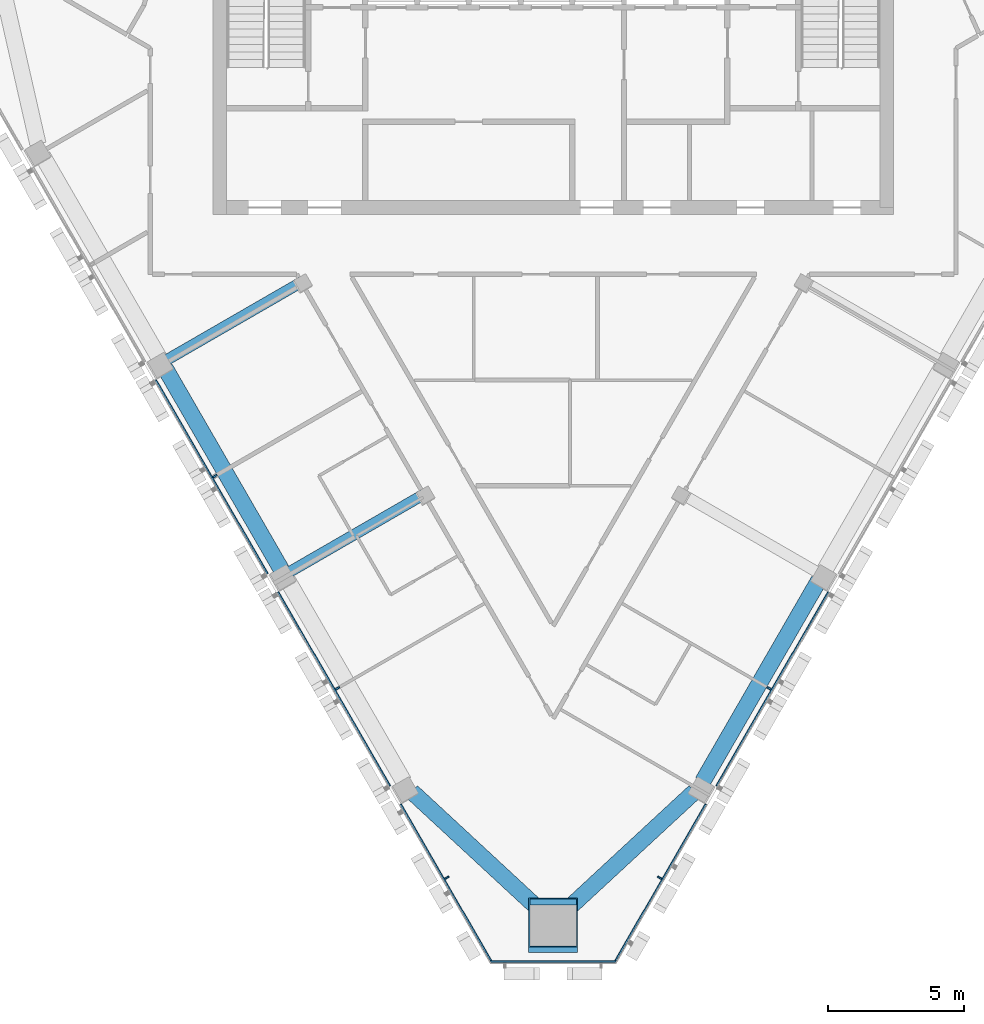
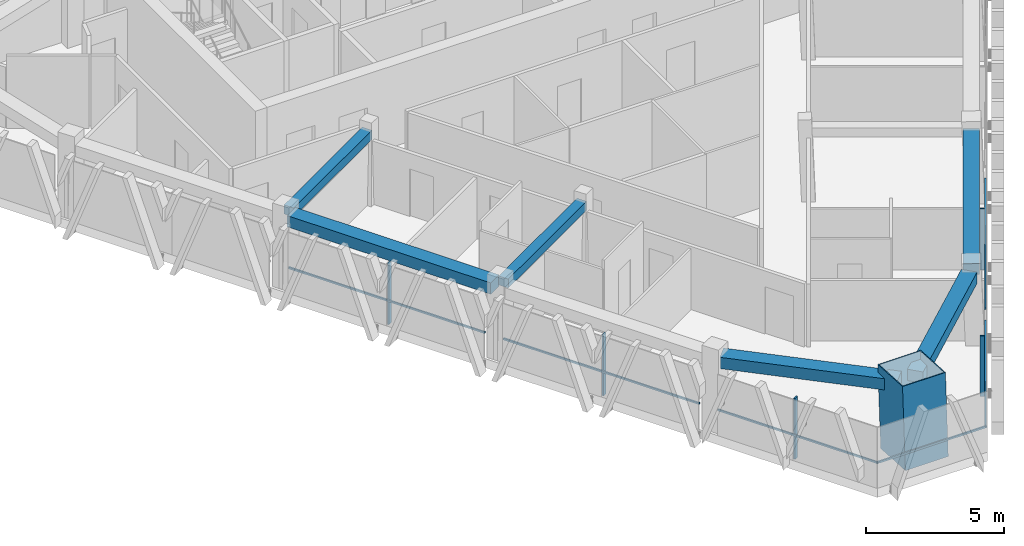
# One storey, part 2 of 12: 12 members, 6 beams, 3 elements without a shape of their own.
"""IFC4 building model written with IfcOpenShell, lengths in metres."""

import ifcopenshell
import ifcopenshell.guid

model = None  # the IFC model being written
_history = None  # IfcOwnerHistory: only IFC2X3 demands one
_inside = {}  # id of a spatial element -> (the spatial element, [elements in it])
_under = {}  # id of a project, library or spatial element -> (it, [spatial elements below it])
_declared = {}  # id of a project -> (the project, [libraries it declares])
_typed = {}  # id of a type object -> (the type object, [elements of that type])
_made_of = {}  # id of a material, layer set ... -> (it, [elements and type objects made of it])


def new_model(schema):
    """Start an empty IFC model of exactly this schema.

    Asked for "IFC4X3", IfcOpenShell would pick the latest addendum, in which some entities
    have other attributes; the version numbers below select the first issue.
    IFC2X3 requires an IfcOwnerHistory on every rooted entity: one is made here for all.
    """
    global model, _history
    if schema == "IFC4X3":
        model = ifcopenshell.file(schema_version=(4, 3, 0, 0))
    else:
        model = ifcopenshell.file(schema=schema)
    _inside.clear()
    _under.clear()
    _declared.clear()
    _typed.clear()
    _made_of.clear()
    _history = None
    if model.schema == "IFC2X3":
        org = make("IfcOrganization", Name="unknown")
        user = make(
            "IfcPersonAndOrganization",
            ThePerson=make("IfcPerson", FamilyName="unknown"),
            TheOrganization=org,
        )
        app = make(
            "IfcApplication",
            ApplicationDeveloper=org,
            Version="unknown",
            ApplicationFullName="unknown",
            ApplicationIdentifier="unknown",
        )
        _history = make(
            "IfcOwnerHistory",
            OwningUser=user,
            OwningApplication=app,
            ChangeAction="ADDED",
            CreationDate=0,
        )
    return model


def make(cls, **values):
    """One entity of the class cls with the attributes given. An attribute that is None is left unset."""
    return model.create_entity(
        cls, **{name: value for name, value in values.items() if value is not None}
    )


def rooted(cls, **values):
    """An entity with a GlobalId (a new one), such as an element, a storey or a relation."""
    return make(cls, GlobalId=ifcopenshell.guid.new(), OwnerHistory=_history, **values)


def si_unit(unit_type, name, prefix=None):
    """IfcSIUnit, for example si_unit("LENGTHUNIT", "METRE", prefix="MILLI")."""
    return make("IfcSIUnit", UnitType=unit_type, Prefix=prefix, Name=name)


def assignment(units):
    """IfcUnitAssignment: the units of a project."""
    return None if units is None else make("IfcUnitAssignment", Units=units)


def point(xyz):
    """IfcCartesianPoint."""
    return None if xyz is None else make("IfcCartesianPoint", Coordinates=xyz)


def direction(xyz):
    """IfcDirection."""
    return None if xyz is None else make("IfcDirection", DirectionRatios=xyz)


def frame(location, z_axis=None, x_axis=None):
    """IfcAxis2Placement3D, a coordinate frame: its origin and axes. An axis left out is left unset."""
    return make(
        "IfcAxis2Placement3D",
        Location=point(location),
        Axis=direction(z_axis),
        RefDirection=direction(x_axis),
    )


def frame_2d(location, x_axis=None):
    """IfcAxis2Placement2D, a coordinate frame in the plane: its origin and x axis."""
    return make(
        "IfcAxis2Placement2D", Location=point(location), RefDirection=direction(x_axis)
    )


def origin():
    """The frame at (0, 0, 0) with its axes left unset."""
    return frame((0.0, 0.0, 0.0))


def origin_2d():
    """The frame at (0, 0) in the plane with its x axis left unset."""
    return frame_2d((0.0, 0.0))


def place(relative_to, where):
    """IfcLocalPlacement: puts the frame where relative to a parent placement (None: the world)."""
    return make(
        "IfcLocalPlacement", PlacementRelTo=relative_to, RelativePlacement=where
    )


def context(
    kind, dimensions, precision=None, world=None, true_north=None, identifier=None
):
    """IfcGeometricRepresentationContext, for example the 3D "Model" context."""
    return make(
        "IfcGeometricRepresentationContext",
        ContextIdentifier=identifier,
        ContextType=kind,
        CoordinateSpaceDimension=dimensions,
        Precision=precision,
        WorldCoordinateSystem=world,
        TrueNorth=true_north,
    )


def subcontext(parent, identifier, kind, view, scale=None):
    """IfcGeometricRepresentationSubContext, for example "Body" below "Model"."""
    return make(
        "IfcGeometricRepresentationSubContext",
        ContextIdentifier=identifier,
        ContextType=kind,
        ParentContext=parent,
        TargetScale=scale,
        TargetView=view,
    )


def project(units=None, contexts=None):
    """IfcProject with its units and contexts."""
    return rooted(
        "IfcProject",
        Name="project",
        RepresentationContexts=contexts,
        UnitsInContext=assignment(units),
    )


def spatial(cls, under=None, at=None, **own):
    """A site, building, storey or space (cls), placed at a placement, below another one or the project."""
    s = rooted(cls, ObjectPlacement=at, **own)
    if under is not None:
        _under.setdefault(under.id(), (under, []))[1].append(s)
    return s


def profile(cls, at=None, kind="AREA", **sizes):
    """A parametric profile (cls). Its sizes go by their IFC names, for example OverallWidth=200.0."""
    return make(cls, ProfileType=kind, Position=at, **sizes)


def rectangle(**sizes):
    """IfcRectangleProfileDef."""
    return profile("IfcRectangleProfileDef", **sizes)


def hollow_rectangle(**sizes):
    """IfcRectangleHollowProfileDef."""
    return profile("IfcRectangleHollowProfileDef", **sizes)


def extrude(swept, where, along, depth):
    """IfcExtrudedAreaSolid: the profile swept, set in the frame where, extruded along a direction by depth."""
    return make(
        "IfcExtrudedAreaSolid",
        SweptArea=swept,
        Position=where,
        ExtrudedDirection=direction(along),
        Depth=depth,
    )


def shape(context_of_items, identifier, shape_type, items):
    """IfcShapeRepresentation: the items that make up one representation, for example the "Body"."""
    return make(
        "IfcShapeRepresentation",
        ContextOfItems=context_of_items,
        RepresentationIdentifier=identifier,
        RepresentationType=shape_type,
        Items=items,
    )


def material(Name=None, Category=None):
    """IfcMaterial."""
    return make("IfcMaterial", Name=Name, Category=Category)


def layer(
    of_material, thickness, ventilated=None, Name=None, Category=None, Priority=None
):
    """IfcMaterialLayer: one layer of a wall or slab, of a material (None: an air gap)."""
    return make(
        "IfcMaterialLayer",
        Material=of_material,
        LayerThickness=thickness,
        IsVentilated=ventilated,
        Name=Name,
        Category=Category,
        Priority=Priority,
    )


def layer_set(layers, Name=None):
    """IfcMaterialLayerSet."""
    return make("IfcMaterialLayerSet", MaterialLayers=layers, LayerSetName=Name)


def material_profile(
    of_material, cross_section, Name=None, Category=None, Priority=None
):
    """IfcMaterialProfile: a cross section and its material."""
    return make(
        "IfcMaterialProfile",
        Name=Name,
        Material=of_material,
        Profile=cross_section,
        Priority=Priority,
        Category=Category,
    )


def profile_set(profiles, Name=None, composite=None):
    """IfcMaterialProfileSet."""
    return make(
        "IfcMaterialProfileSet",
        Name=Name,
        MaterialProfiles=profiles,
        CompositeProfile=composite,
    )


def made_of(thing, what):
    """Note that an element or type object is made of a material, layer set ...; save() writes the relation."""
    if what is not None:
        _made_of.setdefault(what.id(), (what, []))[1].append(thing)
    return thing


def type_object(cls, material=None, **own):
    """A type object (cls), such as IfcWallType, which elements share."""
    return made_of(rooted(cls, **own), material)


def element(
    cls,
    number,
    at=None,
    inside=None,
    cuts=None,
    type_object=None,
    material=None,
    context=None,
    identifier="Body",
    shape_type=None,
    held_by="IfcProductDefinitionShape",
    body=None,
    shapes=None,
    **own,
):
    """One element of the class cls, such as IfcWall. Its Tag is "e" and its number.

    at: its placement. inside: the storey or other place that contains it. cuts: it is an
    opening in that element (IfcRelVoidsElement). A single representation is given by context,
    identifier, shape_type and body (its items); several are given by shapes. held_by: the class
    of the entity that holds the representations. save() writes the other relations.
    """
    e = rooted(cls, Tag="e%d" % number, ObjectPlacement=at, **own)
    if body is not None:
        shapes = [shape(context, identifier, shape_type, body)]
    if shapes is not None:
        e.Representation = make(held_by, Representations=shapes)
    if inside is not None:
        _inside.setdefault(inside.id(), (inside, []))[1].append(e)
    if cuts is not None:
        rooted(
            "IfcRelVoidsElement", RelatingBuildingElement=cuts, RelatedOpeningElement=e
        )
    if type_object is not None:
        _typed.setdefault(type_object.id(), (type_object, []))[1].append(e)
    return made_of(e, material)


def aggregate(whole, parts):
    """IfcRelAggregates: a whole, such as a stair, and the parts it consists of."""
    return rooted("IfcRelAggregates", RelatingObject=whole, RelatedObjects=parts)


def save(model, path):
    """Write the relations noted so far, then the file.

    IfcRelAggregates (storeys below a building ...), IfcRelContainedInSpatialStructure (elements
    in a storey), IfcRelDefinesByType, IfcRelAssociatesMaterial and IfcRelDeclares: one each for
    every whole, place, type object, material and project.
    """
    for whole, parts in _under.values():
        aggregate(whole, parts)
    for where, things in _inside.values():
        rooted(
            "IfcRelContainedInSpatialStructure",
            RelatedElements=things,
            RelatingStructure=where,
        )
    for kind, things in _typed.values():
        rooted("IfcRelDefinesByType", RelatedObjects=things, RelatingType=kind)
    for what, things in _made_of.values():
        rooted("IfcRelAssociatesMaterial", RelatedObjects=things, RelatingMaterial=what)
    for by, libraries in _declared.values():
        rooted("IfcRelDeclares", RelatingContext=by, RelatedDefinitions=libraries)
    model.write(path)


model = new_model("IFC4")

# Units and contexts
model_context = context("Model", 3, precision=1e-05, world=origin(), true_north=direction((0.0, 1.0)))
body_context = subcontext(model_context, "Body", "Model", "MODEL_VIEW")
ifc_project = project(units=[si_unit("LENGTHUNIT", "METRE"), si_unit("AREAUNIT", "SQUARE_METRE"), si_unit("VOLUMEUNIT", "CUBIC_METRE"), si_unit("PLANEANGLEUNIT", "RADIAN"), si_unit("MASSUNIT", "GRAM", prefix="KILO")], contexts=[model_context])

# Site, building, storey
site_placement = place(None, origin())
site = spatial("IfcSite", under=ifc_project, at=site_placement, CompositionType="ELEMENT")
building_placement = place(site_placement, origin())
building = spatial("IfcBuilding", under=site, at=building_placement, Name="Altiplano Prism Tower", CompositionType="ELEMENT")
storey_placement = place(building_placement, frame((0.0, 0.0, 278.800048828125)))
storey = spatial("IfcBuildingStorey", under=building, at=storey_placement, Name="L72", CompositionType="ELEMENT", Elevation=278.800048828125)

# Curtain wall, members
ifc_material_1 = material(Name="Aluminium and glass", Category="aluminium")
ifc_layer = layer(ifc_material_1, 0.280029296875)
ifc_layer_set = layer_set([ifc_layer], Name="Aluminium and glass")
curtain_wall_type = type_object("IfcCurtainWallType", Name="CW1 typical co-living unitised curtain wall", PredefinedType="NOTDEFINED", material=ifc_layer_set)
curtain_wall_1_placement = place(storey_placement, origin())
curtain_wall_1 = element("IfcCurtainWall", 1, at=curtain_wall_1_placement, inside=storey, type_object=curtain_wall_type, Name="CW1 curtain wall south-west face L72", PredefinedType="NOTDEFINED")
ifc_material_2 = material(Name="Aluminium", Category="aluminium")
ifc_material_profile_1 = material_profile(ifc_material_2, rectangle(XDim=0.179931640625, YDim=0.06494140625, at=origin_2d()), Name="CW1 mullion 65 x 180")
ifc_profile_set_1 = profile_set([ifc_material_profile_1], Name="Aluminium")
member_type_1 = type_object("IfcMemberType", Name="CW1 mullion 65 x 180", PredefinedType="MULLION", material=ifc_profile_set_1)
member_1_placement = place(storey_placement, frame((72.57275390625, 83.28564453125, 0.0), z_axis=(0.0, 0.0, 1.0), x_axis=(0.866025409151, 0.499999990704, 0.0)))
member_1 = element("IfcMember", 2, at=member_1_placement, type_object=member_type_1, Name="CW1 mullion", PredefinedType="MULLION", context=body_context, shape_type="SweptSolid", body=[
    extrude(rectangle(XDim=0.179931640625, YDim=0.06494140625, at=origin_2d()), origin(), (0.0, 0.0, 1.0), 2.699951171875),
])
member_2_placement = place(storey_placement, frame((77.07275390625, 75.4912109375, 0.0), z_axis=(0.0, 0.0, 1.0), x_axis=(0.866025409151, 0.499999990704, 0.0)))
member_2 = element("IfcMember", 3, at=member_2_placement, type_object=member_type_1, Name="CW1 mullion", PredefinedType="MULLION", context=body_context, shape_type="SweptSolid", body=[
    extrude(rectangle(XDim=0.179931640625, YDim=0.06494140625, at=origin_2d()), origin(), (0.0, 0.0, 1.0), 2.699951171875),
])
member_3_placement = place(storey_placement, frame((81.089599609375, 68.5341796875, 0.0), z_axis=(0.0, 0.0, 1.0), x_axis=(0.866025409151, 0.499999990704, 0.0)))
member_3 = element("IfcMember", 4, at=member_3_placement, type_object=member_type_1, Name="CW1 mullion", PredefinedType="MULLION", context=body_context, shape_type="SweptSolid", body=[
    extrude(rectangle(XDim=0.179931640625, YDim=0.06494140625, at=origin_2d()), origin(), (0.0, 0.0, 1.0), 2.699951171875),
])

curtain_wall_2_placement = place(storey_placement, origin())
curtain_wall_2 = element("IfcCurtainWall", 5, at=curtain_wall_2_placement, inside=storey, type_object=curtain_wall_type, Name="CW1 curtain wall south-east face L72", PredefinedType="NOTDEFINED")
member_4_placement = place(storey_placement, frame((88.910400390625, 68.5341796875, 0.0), z_axis=(0.0, 0.0, 1.0), x_axis=(-0.866025409151, 0.499999990704, 0.0)))
member_4 = element("IfcMember", 6, at=member_4_placement, type_object=member_type_1, Name="CW1 mullion", PredefinedType="MULLION", context=body_context, shape_type="SweptSolid", body=[
    extrude(rectangle(XDim=0.179931640625, YDim=0.06494140625, at=origin_2d()), origin(), (0.0, 0.0, 1.0), 2.699951171875),
])
member_5_placement = place(storey_placement, frame((92.92724609375, 75.4912109375, 0.0), z_axis=(0.0, 0.0, 1.0), x_axis=(-0.866025409151, 0.499999990704, 0.0)))
member_5 = element("IfcMember", 7, at=member_5_placement, type_object=member_type_1, Name="CW1 mullion", PredefinedType="MULLION", context=body_context, shape_type="SweptSolid", body=[
    extrude(rectangle(XDim=0.179931640625, YDim=0.06494140625, at=origin_2d()), origin(), (0.0, 0.0, 1.0), 2.699951171875),
])

# Member
ifc_material_profile_2 = material_profile(ifc_material_2, rectangle(XDim=0.06005859375, YDim=0.080078125, at=origin_2d()), Name="CW1 transom 80 x 60")
ifc_profile_set_2 = profile_set([ifc_material_profile_2], Name="Aluminium")
member_type_2 = type_object("IfcMemberType", Name="CW1 transom 80 x 60", PredefinedType="USERDEFINED", material=ifc_profile_set_2)
member_6_placement = place(storey_placement, frame((70.394287109375, 86.819091796875, 1.099853515625), z_axis=(0.499991554064, -0.866030279993, 0.0), x_axis=(0.866030279993, 0.499991554064, 0.0)))
member_6 = element("IfcMember", 8, at=member_6_placement, type_object=member_type_2, Name="CW1 transom", ObjectType="TRANSOM", PredefinedType="USERDEFINED", context=body_context, shape_type="SweptSolid", body=[
    extrude(rectangle(XDim=0.06005859375, YDim=0.080078125, at=origin_2d()), origin(), (0.0, 0.0, 1.0), 8.219970703125),
])

member_7_placement = place(storey_placement, frame((74.894287109375, 79.02490234375, 1.099853515625), z_axis=(0.499991554064, -0.866030279993, 0.0), x_axis=(0.866030279993, 0.499991554064, 0.0)))
member_7 = element("IfcMember", 9, at=member_7_placement, type_object=member_type_2, Name="CW1 transom", ObjectType="TRANSOM", PredefinedType="USERDEFINED", context=body_context, shape_type="SweptSolid", body=[
    extrude(rectangle(XDim=0.06005859375, YDim=0.080078125, at=origin_2d()), origin(), (0.0, 0.0, 1.0), 8.219970703125),
])

member_8_placement = place(storey_placement, frame((79.394287109375, 71.230712890625, 1.099853515625), z_axis=(0.499989908473, -0.866031230052, 0.0), x_axis=(0.866031230052, 0.499989908473, 0.0)))
member_8 = element("IfcMember", 10, at=member_8_placement, type_object=member_type_2, Name="CW1 transom", ObjectType="TRANSOM", PredefinedType="USERDEFINED", context=body_context, shape_type="SweptSolid", body=[
    extrude(rectangle(XDim=0.06005859375, YDim=0.080078125, at=origin_2d()), origin(), (0.0, 0.0, 1.0), 6.716552734375),
])

aggregate(curtain_wall_1, [member_1, member_6, member_2, member_7, member_3, member_8])

# Curtain wall, member
curtain_wall_3_placement = place(storey_placement, origin())
curtain_wall_3 = element("IfcCurtainWall", 11, at=curtain_wall_3_placement, inside=storey, type_object=curtain_wall_type, Name="CW1 curtain wall south chamfer L72", PredefinedType="NOTDEFINED")
member_9_placement = place(storey_placement, frame((82.69189453125, 65.448974609375, 1.099853515625), z_axis=(1.0, 0.0, 0.0), x_axis=(0.0, 1.0, 0.0)))
member_9 = element("IfcMember", 12, at=member_9_placement, type_object=member_type_2, Name="CW1 transom", ObjectType="TRANSOM", PredefinedType="USERDEFINED", context=body_context, shape_type="SweptSolid", body=[
    extrude(rectangle(XDim=0.06005859375, YDim=0.080078125, at=origin_2d()), origin(), (0.0, 0.0, 1.0), 4.6162109375),
])
aggregate(curtain_wall_3, [member_9])

# Member
member_10_placement = place(storey_placement, frame((87.24755859375, 65.4140625, 1.099853515625), z_axis=(0.499989908473, 0.866031230052, 0.0), x_axis=(-0.866031230052, 0.499989908473, 0.0)))
member_10 = element("IfcMember", 13, at=member_10_placement, type_object=member_type_2, Name="CW1 transom", ObjectType="TRANSOM", PredefinedType="USERDEFINED", context=body_context, shape_type="SweptSolid", body=[
    extrude(rectangle(XDim=0.06005859375, YDim=0.080078125, at=origin_2d()), origin(), (0.0, 0.0, 1.0), 6.716552734375),
])

member_11_placement = place(storey_placement, frame((90.995849609375, 71.90625, 1.099853515625), z_axis=(0.499991554064, 0.866030279993, 0.0), x_axis=(-0.866030279993, 0.499991554064, 0.0)))
member_11 = element("IfcMember", 14, at=member_11_placement, type_object=member_type_2, Name="CW1 transom", ObjectType="TRANSOM", PredefinedType="USERDEFINED", context=body_context, shape_type="SweptSolid", body=[
    extrude(rectangle(XDim=0.06005859375, YDim=0.080078125, at=origin_2d()), origin(), (0.0, 0.0, 1.0), 8.219970703125),
])

aggregate(curtain_wall_2, [member_4, member_10, member_5, member_11])

# Beams
ifc_material_3 = material(Name="Concrete C60/75", Category="concrete")
ifc_material_profile_3 = material_profile(ifc_material_3, rectangle(XDim=0.60009765625, YDim=0.5, at=origin_2d()), Name="Edge beam 600x500")
ifc_profile_set_3 = profile_set([ifc_material_profile_3], Name="Concrete C60/75")
beam_type_1 = type_object("IfcBeamType", Name="Edge beam 600x500", PredefinedType="SPANDREL", material=ifc_profile_set_3)
beam_1_placement = place(storey_placement, frame((70.742919921875, 87.251953125, 2.949951171875), z_axis=(0.500007039007, -0.866021339774, 0.0), x_axis=(0.866021339774, 0.500007039007, 0.0)))
element("IfcBeam", 15, at=beam_1_placement, inside=storey, type_object=beam_type_1, Name="Edge beam P12-P13 L73", PredefinedType="SPANDREL", context=body_context, shape_type="SweptSolid", body=[
    extrude(rectangle(XDim=0.60009765625, YDim=0.5, at=origin_2d()), origin(), (0.0, 0.0, 1.0), 8.5400390625),
])
for number, where, z_axis, x_axis, name in (
    (16, (79.808837890625, 71.6953125, 2.949951171875), (0.733800822251, -0.679364668837, 0.0), (0.679364668837, 0.733800822251, 0.0), "Edge beam P14-M1 L73"),
    (17, (85.330322265625, 67.195068359375, 2.949951171875), (0.733800822251, 0.679364668837, 0.0), (-0.679364668837, 0.733800822251, 0.0), "Edge beam M1-P21 L73"),
):
    element("IfcBeam", number, at=place(storey_placement, frame(where, z_axis=z_axis, x_axis=x_axis)), inside=storey, type_object=beam_type_1, Name=name, PredefinedType="SPANDREL", context=body_context, shape_type="SweptSolid", body=[
        extrude(rectangle(XDim=0.60009765625, YDim=0.5, at=origin_2d()), origin(), (0.0, 0.0, 1.0), 6.624267578125),
    ])
beam_2_placement = place(storey_placement, frame((90.487060546875, 72.06201171875, 2.949951171875), z_axis=(0.500007039007, 0.866021339774, 0.0), x_axis=(-0.866021339774, 0.500007039007, 0.0)))
element("IfcBeam", 18, at=beam_2_placement, inside=storey, type_object=beam_type_1, Name="Edge beam P21-P22 L73", PredefinedType="SPANDREL", context=body_context, shape_type="SweptSolid", body=[
    extrude(rectangle(XDim=0.60009765625, YDim=0.5, at=origin_2d()), origin(), (0.0, 0.0, 1.0), 8.5400390625),
])

# Member
ifc_material_4 = material(Name="Steel S460", Category="steel")
ifc_material_profile_4 = material_profile(ifc_material_4, hollow_rectangle(XDim=1.800048828125, YDim=1.800048828125, WallThickness=0.0400390625, at=origin_2d()), Name="Mega column tube 1800")
ifc_profile_set_4 = profile_set([ifc_material_profile_4], Name="Steel S460")
member_type_3 = type_object("IfcMemberType", Name="Mega column tube 1800", PredefinedType="POST", material=ifc_profile_set_4)
member_12_placement = place(storey_placement, frame((85.0, 66.678955078125, 0.0), z_axis=(0.0, 0.058360852261, 0.998295552892), x_axis=(-1.0, 0.0, 0.0)))
element("IfcMember", 19, at=member_12_placement, inside=storey, type_object=member_type_3, Name="Mega column tube M1 L72", PredefinedType="POST", context=body_context, shape_type="SweptSolid", body=[
    extrude(hollow_rectangle(XDim=1.800048828125, YDim=1.800048828125, WallThickness=0.0400390625, at=origin_2d()), origin(), (0.0, 0.0, 1.0), 3.60595703125),
])

# Beams
ifc_material_profile_5 = material_profile(ifc_material_3, rectangle(XDim=0.39990234375, YDim=0.39990234375, at=origin_2d()), Name="Tie beam 400x400")
ifc_profile_set_5 = profile_set([ifc_material_profile_5], Name="Concrete C60/75")
beam_type_2 = type_object("IfcBeamType", Name="Tie beam 400x400", PredefinedType="BEAM", material=ifc_profile_set_5)
for number, where, z_axis, x_axis, name in (
    (20, (75.7548828125, 90.4111328125, 3.0), (-0.866029822496, -0.499992346489, 0.0), (0.499992346489, -0.866029822496, 0.0), "Tie beam I12 L73"),
    (21, (80.2548828125, 82.616943359375, 3.0), (-0.866029822496, -0.499992346489, 0.0), (0.499992346489, -0.866029822496, 0.0), "Tie beam I13 L73"),
):
    element("IfcBeam", number, at=place(storey_placement, frame(where, z_axis=z_axis, x_axis=x_axis)), inside=storey, type_object=beam_type_2, Name=name, PredefinedType="BEAM", context=body_context, shape_type="SweptSolid", body=[
        extrude(rectangle(XDim=0.39990234375, YDim=0.39990234375, at=origin_2d()), origin(), (0.0, 0.0, 1.0), 5.68994140625),
    ])

save(model, "model.ifc")
